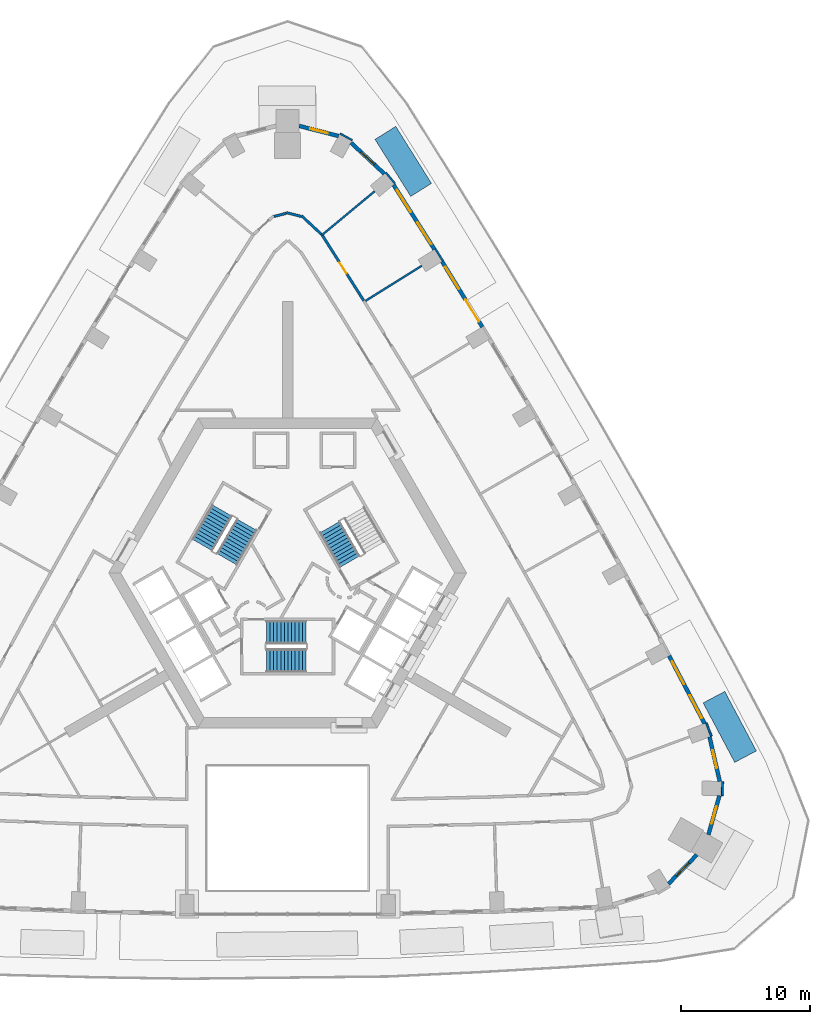
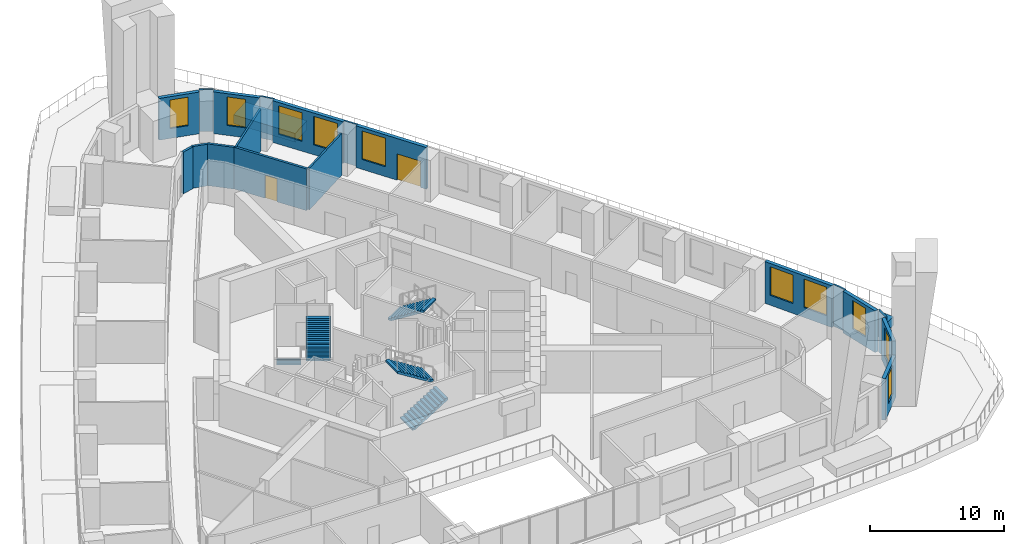
# One storey, part 11 of 16: 21 walls, 10 windows, 5 stair flights, 2 doors, 12 openings, 3 elements without a shape of their own.
"""IFC4 building model written with IfcOpenShell, lengths in metres."""

from ifc_helpers import new_model, si_unit, direction, frame, frame_2d, origin, place, context, subcontext, project, spatial, polyline, rectangle, outline, extrude, material, layer, layer_set, type_object, element, fill, aggregate, save


model = new_model("IFC4")

# Units and contexts
model_context = context("Model", 3, precision=1e-05, world=origin(), true_north=direction((0.0, 1.0)))
body_context = subcontext(model_context, "Body", "Model", "MODEL_VIEW")
ifc_project = project(units=[si_unit("LENGTHUNIT", "METRE"), si_unit("AREAUNIT", "SQUARE_METRE"), si_unit("VOLUMEUNIT", "CUBIC_METRE"), si_unit("PLANEANGLEUNIT", "RADIAN"), si_unit("MASSUNIT", "GRAM", prefix="KILO")], contexts=[model_context])

# Site, building, storey
site_placement = place(None, origin())
site = spatial("IfcSite", under=ifc_project, at=site_placement, CompositionType="ELEMENT")
building_placement = place(site_placement, origin())
building = spatial("IfcBuilding", under=site, at=building_placement, Name="Entoto Arch Interchange Tower", CompositionType="ELEMENT")
storey_placement = place(building_placement, frame((0.0, 0.0, 138.199951171875)))
storey = spatial("IfcBuildingStorey", under=building, at=storey_placement, Name="L30", CompositionType="ELEMENT", Elevation=138.199951171875)

# Walls
ifc_material_1 = material(Name="Gypsum board partition on steel studs", Category="steel")
ifc_layer_1 = layer(ifc_material_1, 0.14990234375)
ifc_layer_set_1 = layer_set([ifc_layer_1], Name="Gypsum board partition on steel studs")
wall_type_1 = type_object("IfcWallType", Name="PARTITION 150", PredefinedType="PARTITIONING", material=ifc_layer_set_1)
wall_1_placement = place(storey_placement, frame((6.028076171875, 23.56005859375, 0.0), z_axis=(0.0, 0.0, 1.0), x_axis=(0.848246841914, 0.529601071734, 0.0)))
element("IfcWall", 1, at=wall_1_placement, inside=storey, type_object=wall_type_1, Name="wall:L30:p130", PredefinedType="PARTITIONING", context=body_context, shape_type="SweptSolid", body=[
    extrude(rectangle(XDim=5.13037109375, YDim=0.14990234375, at=frame_2d((2.565185546875, 0.0))), origin(), (0.0, 0.0, 1.0), 3.800048828125),
])
wall_2_placement = place(storey_placement, frame((2.669921875, 28.669921875, 0.0), z_axis=(0.0, 0.0, 1.0), x_axis=(0.769162789992, 0.639052894909, 0.0)))
element("IfcWall", 2, at=wall_2_placement, inside=storey, type_object=wall_type_1, Name="wall:L30:p131", PredefinedType="PARTITIONING", context=body_context, shape_type="SweptSolid", body=[
    extrude(rectangle(XDim=5.287841796875, YDim=0.14990234375, at=frame_2d((2.64404296875, 0.0))), origin(), (0.0, 0.0, 1.0), 3.800048828125),
])

# Wall, opening, door
ifc_layer_2 = layer(ifc_material_1, 0.199951171875)
ifc_layer_set_2 = layer_set([ifc_layer_2], Name="Gypsum board partition on steel studs")
wall_type_2 = type_object("IfcWallType", Name="PARTITION 200", PredefinedType="PARTITIONING", material=ifc_layer_set_2)
wall_3_placement = place(storey_placement, frame((2.615966796875, 28.75390625, 0.0), z_axis=(0.0, 0.0, 1.0), x_axis=(0.535405016332, -0.844595446641, 0.0)))
wall_3 = element("IfcWall", 3, at=wall_3_placement, inside=storey, type_object=wall_type_2, Name="wall:L30:p046", PredefinedType="PARTITIONING", context=body_context, shape_type="SweptSolid", body=[
    extrude(rectangle(XDim=6.1376953125, YDim=0.199951171875, at=frame_2d((3.06884765625, 0.0))), origin(), (0.0, 0.0, 1.0), 3.800048828125),
])
opening_1_placement = place(wall_3_placement, frame((2.64404296875, 0.0, 0.0)))
opening_1 = element("IfcOpeningElement", 4, at=opening_1_placement, cuts=wall_3, Name="Opening L30-D09", PredefinedType="OPENING", context=body_context, shape_type="SweptSolid", body=[
    extrude(rectangle(XDim=1.0, YDim=2.10009765625, at=frame_2d((0.5, 1.050048828125))), frame((0.0, 0.10986328125, 0.0), z_axis=(0.0, -1.0, 0.0), x_axis=(1.0, 0.0, 0.0)), (0.0, 0.0, 1.0), 0.219970703125),
])
ifc_material_2 = material(Name="Timber door leaf in Steel S235 frame", Category="steel")
door_type_1 = type_object("IfcDoorType", Name="DOOR DS-10 1000x2100", OperationType="SINGLE_SWING_LEFT", PredefinedType="DOOR", material=ifc_material_2)
door_1_placement = place(opening_1_placement, origin())
door_1 = element("IfcDoor", 5, at=door_1_placement, inside=storey, type_object=door_type_1, Name="door:L30:09", OperationType="SINGLE_SWING_LEFT", OverallHeight=2.10009765625, OverallWidth=1.0, PredefinedType="DOOR", context=body_context, shape_type="SweptSolid", body=[
    extrude(rectangle(XDim=1.0, YDim=2.10009765625, at=frame_2d((0.5, 1.050048828125))), frame((0.0, 0.02490234375, 0.0), z_axis=(0.0, -1.0, 0.0), x_axis=(1.0, 0.0, 0.0)), (0.0, 0.0, 1.0), 0.050048828125),
])
fill(opening_1, door_1)

# Walls
wall_4_placement = place(storey_placement, frame((-1.06103515625, 30.10107421875, 0.0), z_axis=(0.0, 0.0, 1.0), x_axis=(0.968991499392, 0.247094059227, 0.0)))
element("IfcWall", 6, at=wall_4_placement, inside=storey, type_object=wall_type_2, Name="wall:L30:p048", PredefinedType="PARTITIONING", context=body_context, shape_type="SweptSolid", body=[
    extrude(rectangle(XDim=0.994873046875, YDim=0.199951171875, at=frame_2d((0.49755859375, 0.0))), origin(), (0.0, 0.0, 1.0), 3.800048828125),
])
wall_5_placement = place(storey_placement, frame((-0.096923828125, 30.39697265625, 0.0), z_axis=(0.0, 0.0, 1.0), x_axis=(0.968867686006, -0.247579092439, 0.0)))
element("IfcWall", 7, at=wall_5_placement, inside=storey, type_object=wall_type_2, Name="wall:L30:p049", PredefinedType="PARTITIONING", context=body_context, shape_type="SweptSolid", body=[
    extrude(rectangle(XDim=1.195068359375, YDim=0.199951171875, at=frame_2d((0.59765625, 0.0))), origin(), (0.0, 0.0, 1.0), 3.800048828125),
])
wall_6_placement = place(storey_placement, frame((1.0849609375, 30.14501953125, 0.0), z_axis=(0.0, 0.0, 1.0), x_axis=(0.73206471367, -0.681235095249, 0.0)))
element("IfcWall", 8, at=wall_6_placement, inside=storey, type_object=wall_type_2, Name="wall:L30:p050", PredefinedType="PARTITIONING", context=body_context, shape_type="SweptSolid", body=[
    extrude(rectangle(XDim=2.0654296875, YDim=0.199951171875, at=frame_2d((1.03271484375, 0.0))), origin(), (0.0, 0.0, 1.0), 3.800048828125),
])
ifc_material_3 = material(Name="Board-marked precast concrete C50/60", Category="concrete")
ifc_layer_3 = layer(ifc_material_3, 1.89990234375)
ifc_layer_set_3 = layer_set([ifc_layer_3], Name="Board-marked precast concrete C50/60")
wall_type_3 = type_object("IfcWallType", Name="PLANTER RC 1900 Juniperus procera", PredefinedType="STANDARD", material=ifc_layer_set_3)
wall_7_placement = place(storey_placement, frame((10.337890625, 32.154052734375, 0.0), z_axis=(0.0, 0.0, 1.0), x_axis=(-0.530520609595, 0.847672037285, 0.0)))
element("IfcWall", 9, at=wall_7_placement, inside=storey, type_object=wall_type_3, Name="Terrace planter NE-08 L30", PredefinedType="STANDARD", context=body_context, shape_type="SweptSolid", body=[
    extrude(rectangle(XDim=5.21533203125, YDim=1.89990234375, at=frame_2d((2.607666015625, 0.0))), origin(), (0.0, 0.0, 1.0), 0.800048828125),
])
ifc_layer_4 = layer(ifc_material_3, 1.89990234375)
ifc_layer_set_4 = layer_set([ifc_layer_4], Name="Board-marked precast concrete C50/60")
wall_type_4 = type_object("IfcWallType", Name="PLANTER RC 1900 Vachellia abyssinica", PredefinedType="STANDARD", material=ifc_layer_set_4)
wall_8_placement = place(storey_placement, frame((35.4599609375, -11.73095703125, 0.0), z_axis=(0.0, 0.0, 1.0), x_axis=(-0.468724005249, 0.883344670501, 0.0)))
element("IfcWall", 10, at=wall_8_placement, inside=storey, type_object=wall_type_4, Name="Terrace planter NE-01 L30", PredefinedType="STANDARD", context=body_context, shape_type="SweptSolid", body=[
    extrude(rectangle(XDim=5.216552734375, YDim=1.89990234375, at=frame_2d((2.6083984375, 0.0))), origin(), (0.0, 0.0, 1.0), 0.800048828125),
])

# Wall, opening, window
ifc_material_4 = material(Name="Welded tuff (ignimbrite) cladding, warm buff", Category="masonry")
ifc_layer_5 = layer(ifc_material_4, 0.300048828125)
ifc_layer_set_5 = layer_set([ifc_layer_5], Name="Welded tuff (ignimbrite) cladding, warm buff")
wall_type_5 = type_object("IfcWallType", Name="STONE INFILL WALL 300", PredefinedType="STANDARD", material=ifc_layer_set_5)
wall_9_placement = place(storey_placement, frame((29.490966796875, -21.58203125, 0.0), z_axis=(0.0, 0.0, 1.0), x_axis=(0.698633260198, 0.715479956215, 0.0)))
wall_9 = element("IfcWall", 11, at=wall_9_placement, inside=storey, type_object=wall_type_5, Name="Facade wall SE-02 L30", PredefinedType="STANDARD", context=body_context, shape_type="SweptSolid", body=[
    extrude(rectangle(XDim=3.144775390625, YDim=0.300048828125, at=frame_2d((1.572265625, 0.0))), origin(), (0.0, 0.0, 1.0), 3.800048828125),
])
opening_2_placement = place(wall_9_placement, frame((0.8720703125, 0.0, 0.89990234375)))
opening_2 = element("IfcOpeningElement", 12, at=opening_2_placement, cuts=wall_9, Name="Opening WO-B", PredefinedType="OPENING", context=body_context, shape_type="SweptSolid", body=[
    extrude(rectangle(XDim=1.39990234375, YDim=2.60009765625, at=frame_2d((0.699951171875, 1.300048828125))), frame((0.0, 0.16015625, 0.0), z_axis=(0.0, -1.0, 0.0), x_axis=(1.0, 0.0, 0.0)), (0.0, 0.0, 1.0), 0.320068359375),
])
ifc_material_5 = material(Name="Clear glass, low-e double glazed", Category="glass")
window_type_1 = type_object("IfcWindowType", Name="WINDOW WO-B 1400x2600", PartitioningType="DOUBLE_PANEL_VERTICAL", PredefinedType="WINDOW", material=ifc_material_5)
window_1_placement = place(opening_2_placement, origin())
window_1 = element("IfcWindow", 13, at=window_1_placement, inside=storey, type_object=window_type_1, Name="Window WO-B SE-02 L30", OverallHeight=2.60009765625, OverallWidth=1.39990234375, PartitioningType="SINGLE_PANEL", PredefinedType="WINDOW", context=body_context, shape_type="SweptSolid", body=[
    extrude(rectangle(XDim=1.39990234375, YDim=2.60009765625, at=frame_2d((0.699951171875, 1.300048828125))), frame((0.0, 0.030029296875, 0.0), z_axis=(0.0, -1.0, 0.0), x_axis=(1.0, 0.0, 0.0)), (0.0, 0.0, 1.0), 0.06005859375),
])
fill(opening_2, window_1)

wall_10_placement = place(storey_placement, frame((32.5869140625, -17.77490234375, 0.0), z_axis=(0.0, 0.0, 1.0), x_axis=(0.270471130801, 0.962728085912, 0.0)))
wall_10 = element("IfcWall", 14, at=wall_10_placement, inside=storey, type_object=wall_type_5, Name="Facade wall SE-03 L30", PredefinedType="STANDARD", context=body_context, shape_type="SweptSolid", body=[
    extrude(rectangle(XDim=3.14306640625, YDim=0.300048828125, at=frame_2d((1.571533203125, 0.0))), origin(), (0.0, 0.0, 1.0), 3.800048828125),
])
opening_3_placement = place(wall_10_placement, frame((0.8720703125, 0.0, 0.89990234375)))
opening_3 = element("IfcOpeningElement", 15, at=opening_3_placement, cuts=wall_10, Name="Opening WO-B", PredefinedType="OPENING", context=body_context, shape_type="SweptSolid", body=[
    extrude(rectangle(XDim=1.39990234375, YDim=2.60009765625, at=frame_2d((0.699951171875, 1.300048828125))), frame((0.0, 0.16015625, 0.0), z_axis=(0.0, -1.0, 0.0), x_axis=(1.0, 0.0, 0.0)), (0.0, 0.0, 1.0), 0.320068359375),
])
window_2_placement = place(opening_3_placement, origin())
window_2 = element("IfcWindow", 16, at=window_2_placement, inside=storey, type_object=window_type_1, Name="Window WO-B SE-03 L30", OverallHeight=2.60009765625, OverallWidth=1.39990234375, PartitioningType="SINGLE_PANEL", PredefinedType="WINDOW", context=body_context, shape_type="SweptSolid", body=[
    extrude(rectangle(XDim=1.39990234375, YDim=2.60009765625, at=frame_2d((0.699951171875, 1.300048828125))), frame((0.0, 0.030029296875, 0.0), z_axis=(0.0, -1.0, 0.0), x_axis=(1.0, 0.0, 0.0)), (0.0, 0.0, 1.0), 0.06005859375),
])
fill(opening_3, window_2)

wall_11_placement = place(storey_placement, frame((33.462890625, -13.65087890625, 0.0), z_axis=(0.0, 0.0, 1.0), x_axis=(-0.223538714932, 0.974695051247, 0.0)))
wall_11 = element("IfcWall", 17, at=wall_11_placement, inside=storey, type_object=wall_type_5, Name="Facade wall SE-04 L30", PredefinedType="STANDARD", context=body_context, shape_type="SweptSolid", body=[
    extrude(rectangle(XDim=3.53759765625, YDim=0.300048828125, at=frame_2d((1.768798828125, 0.0))), origin(), (0.0, 0.0, 1.0), 3.800048828125),
])
opening_4_placement = place(wall_11_placement, frame((1.069091796875, 0.0, 0.89990234375)))
opening_4 = element("IfcOpeningElement", 18, at=opening_4_placement, cuts=wall_11, Name="Opening WO-B", PredefinedType="OPENING", context=body_context, shape_type="SweptSolid", body=[
    extrude(rectangle(XDim=1.39990234375, YDim=2.60009765625, at=frame_2d((0.699951171875, 1.300048828125))), frame((0.0, 0.16015625, 0.0), z_axis=(0.0, -1.0, 0.0), x_axis=(1.0, 0.0, 0.0)), (0.0, 0.0, 1.0), 0.320068359375),
])
window_3_placement = place(opening_4_placement, origin())
window_3 = element("IfcWindow", 19, at=window_3_placement, inside=storey, type_object=window_type_1, Name="Window WO-B SE-04 L30", OverallHeight=2.60009765625, OverallWidth=1.39990234375, PartitioningType="SINGLE_PANEL", PredefinedType="WINDOW", context=body_context, shape_type="SweptSolid", body=[
    extrude(rectangle(XDim=1.39990234375, YDim=2.60009765625, at=frame_2d((0.699951171875, 1.300048828125))), frame((0.0, 0.030029296875, 0.0), z_axis=(0.0, -1.0, 0.0), x_axis=(1.0, 0.0, 0.0)), (0.0, 0.0, 1.0), 0.06005859375),
])
fill(opening_4, window_3)

# Wall, openings, windows
wall_12_placement = place(storey_placement, frame((32.291015625, -9.173095703125, 0.0), z_axis=(0.0, 0.0, 1.0), x_axis=(-0.463809970306, 0.885934710599, 0.0)))
wall_12 = element("IfcWall", 20, at=wall_12_placement, inside=storey, type_object=wall_type_5, Name="Facade wall NE-01 L30", PredefinedType="STANDARD", context=body_context, shape_type="SweptSolid", body=[
    extrude(rectangle(XDim=5.927001953125, YDim=0.300048828125, at=frame_2d((2.96337890625, 0.0))), origin(), (0.0, 0.0, 1.0), 3.800048828125),
])
opening_5_placement = place(wall_12_placement, frame((0.48193359375, 0.0, 0.89990234375)))
opening_5 = element("IfcOpeningElement", 21, at=opening_5_placement, cuts=wall_12, Name="Opening WO-C", PredefinedType="OPENING", context=body_context, shape_type="SweptSolid", body=[
    extrude(rectangle(XDim=2.0, YDim=2.60009765625, at=frame_2d((1.0, 1.300048828125))), frame((0.0, 0.16015625, 0.0), z_axis=(0.0, -1.0, 0.0), x_axis=(1.0, 0.0, 0.0)), (0.0, 0.0, 1.0), 0.320068359375),
])
opening_6_placement = place(wall_12_placement, frame((3.445068359375, 0.0, 0.89990234375)))
opening_6 = element("IfcOpeningElement", 22, at=opening_6_placement, cuts=wall_12, Name="Opening WO-C", PredefinedType="OPENING", context=body_context, shape_type="SweptSolid", body=[
    extrude(rectangle(XDim=2.0, YDim=2.60009765625, at=frame_2d((1.0, 1.300048828125))), frame((0.0, 0.16015625, 0.0), z_axis=(0.0, -1.0, 0.0), x_axis=(1.0, 0.0, 0.0)), (0.0, 0.0, 1.0), 0.320068359375),
])
window_type_2 = type_object("IfcWindowType", Name="WINDOW WO-C 2000x2600", PartitioningType="DOUBLE_PANEL_VERTICAL", PredefinedType="WINDOW", material=ifc_material_5)
window_4_placement = place(opening_5_placement, origin())
window_4 = element("IfcWindow", 23, at=window_4_placement, inside=storey, type_object=window_type_2, Name="Window WO-C NE-01 L30", OverallHeight=2.60009765625, OverallWidth=2.0, PartitioningType="SINGLE_PANEL", PredefinedType="WINDOW", context=body_context, shape_type="SweptSolid", body=[
    extrude(rectangle(XDim=2.0, YDim=2.60009765625, at=frame_2d((1.0, 1.300048828125))), frame((0.0, 0.030029296875, 0.0), z_axis=(0.0, -1.0, 0.0), x_axis=(1.0, 0.0, 0.0)), (0.0, 0.0, 1.0), 0.06005859375),
])
fill(opening_5, window_4)
window_5_placement = place(opening_6_placement, origin())
window_5 = element("IfcWindow", 24, at=window_5_placement, inside=storey, type_object=window_type_2, Name="Window WO-C NE-01 L30", OverallHeight=2.60009765625, OverallWidth=2.0, PartitioningType="SINGLE_PANEL", PredefinedType="WINDOW", context=body_context, shape_type="SweptSolid", body=[
    extrude(rectangle(XDim=2.0, YDim=2.60009765625, at=frame_2d((1.0, 1.300048828125))), frame((0.0, 0.030029296875, 0.0), z_axis=(0.0, -1.0, 0.0), x_axis=(1.0, 0.0, 0.0)), (0.0, 0.0, 1.0), 0.06005859375),
])
fill(opening_6, window_5)

# Wall, openings, door, window
wall_13_placement = place(storey_placement, frame((15.072998046875, 21.5439453125, 0.0), z_axis=(0.0, 0.0, 1.0), x_axis=(-0.523719731127, 0.851890628677, 0.0)))
wall_13 = element("IfcWall", 25, at=wall_13_placement, inside=storey, type_object=wall_type_5, Name="Facade wall NE-06 L30", PredefinedType="STANDARD", context=body_context, shape_type="SweptSolid", body=[
    extrude(rectangle(XDim=5.95166015625, YDim=0.300048828125, at=frame_2d((2.975830078125, 0.0))), origin(), (0.0, 0.0, 1.0), 3.800048828125),
])
opening_7_placement = place(wall_13_placement, frame((0.488037109375, 0.0, 0.0)))
opening_7 = element("IfcOpeningElement", 26, at=opening_7_placement, cuts=wall_13, Name="Opening DT-NE-06-L30", PredefinedType="OPENING", context=body_context, shape_type="SweptSolid", body=[
    extrude(rectangle(XDim=2.0, YDim=2.39990234375, at=frame_2d((1.0, 1.199951171875))), frame((0.0, 0.16015625, 0.0), z_axis=(0.0, -1.0, 0.0), x_axis=(1.0, 0.0, 0.0)), (0.0, 0.0, 1.0), 0.320068359375),
])
opening_8_placement = place(wall_13_placement, frame((3.464111328125, 0.0, 0.89990234375)))
opening_8 = element("IfcOpeningElement", 27, at=opening_8_placement, cuts=wall_13, Name="Opening WO-C", PredefinedType="OPENING", context=body_context, shape_type="SweptSolid", body=[
    extrude(rectangle(XDim=2.0, YDim=2.60009765625, at=frame_2d((1.0, 1.300048828125))), frame((0.0, 0.16015625, 0.0), z_axis=(0.0, -1.0, 0.0), x_axis=(1.0, 0.0, 0.0)), (0.0, 0.0, 1.0), 0.320068359375),
])
ifc_material_6 = material(Name="Aluminium and clear glass, anodised", Category="aluminium")
door_type_2 = type_object("IfcDoorType", Name="TERRACE DOOR DT 2000x2400", OperationType="SLIDING_TO_LEFT", PredefinedType="DOOR", material=ifc_material_6)
door_2_placement = place(opening_7_placement, origin())
door_2 = element("IfcDoor", 28, at=door_2_placement, inside=storey, type_object=door_type_2, Name="Terrace door NE-06 L30", OperationType="SLIDING_TO_LEFT", OverallHeight=2.39990234375, OverallWidth=2.0, PredefinedType="DOOR", context=body_context, shape_type="SweptSolid", body=[
    extrude(rectangle(XDim=2.0, YDim=2.39990234375, at=frame_2d((1.0, 1.199951171875))), frame((0.0, 0.02490234375, 0.0), z_axis=(0.0, -1.0, 0.0), x_axis=(1.0, 0.0, 0.0)), (0.0, 0.0, 1.0), 0.050048828125),
])
fill(opening_7, door_2)
window_6_placement = place(opening_8_placement, origin())
window_6 = element("IfcWindow", 29, at=window_6_placement, inside=storey, type_object=window_type_2, Name="Window WO-C NE-06 L30", OverallHeight=2.60009765625, OverallWidth=2.0, PartitioningType="SINGLE_PANEL", PredefinedType="WINDOW", context=body_context, shape_type="SweptSolid", body=[
    extrude(rectangle(XDim=2.0, YDim=2.60009765625, at=frame_2d((1.0, 1.300048828125))), frame((0.0, 0.030029296875, 0.0), z_axis=(0.0, -1.0, 0.0), x_axis=(1.0, 0.0, 0.0)), (0.0, 0.0, 1.0), 0.06005859375),
])
fill(opening_8, window_6)

# Wall, openings, windows
wall_14_placement = place(storey_placement, frame((11.375, 27.544921875, 0.0), z_axis=(0.0, 0.0, 1.0), x_axis=(-0.535403761464, 0.844596242124, 0.0)))
wall_14 = element("IfcWall", 30, at=wall_14_placement, inside=storey, type_object=wall_type_5, Name="Facade wall NE-07 L30", PredefinedType="STANDARD", context=body_context, shape_type="SweptSolid", body=[
    extrude(rectangle(XDim=5.928466796875, YDim=0.300048828125, at=frame_2d((2.96435546875, 0.0))), origin(), (0.0, 0.0, 1.0), 3.800048828125),
])
opening_9_placement = place(wall_14_placement, frame((0.48193359375, 0.0, 0.89990234375)))
opening_9 = element("IfcOpeningElement", 31, at=opening_9_placement, cuts=wall_14, Name="Opening WO-C", PredefinedType="OPENING", context=body_context, shape_type="SweptSolid", body=[
    extrude(rectangle(XDim=2.0, YDim=2.60009765625, at=frame_2d((1.0, 1.300048828125))), frame((0.0, 0.16015625, 0.0), z_axis=(0.0, -1.0, 0.0), x_axis=(1.0, 0.0, 0.0)), (0.0, 0.0, 1.0), 0.320068359375),
])
opening_10_placement = place(wall_14_placement, frame((3.446044921875, 0.0, 0.89990234375)))
opening_10 = element("IfcOpeningElement", 32, at=opening_10_placement, cuts=wall_14, Name="Opening WO-C", PredefinedType="OPENING", context=body_context, shape_type="SweptSolid", body=[
    extrude(rectangle(XDim=2.0, YDim=2.60009765625, at=frame_2d((1.0, 1.300048828125))), frame((0.0, 0.16015625, 0.0), z_axis=(0.0, -1.0, 0.0), x_axis=(1.0, 0.0, 0.0)), (0.0, 0.0, 1.0), 0.320068359375),
])
window_7_placement = place(opening_9_placement, origin())
window_7 = element("IfcWindow", 33, at=window_7_placement, inside=storey, type_object=window_type_2, Name="Window WO-C NE-07 L30", OverallHeight=2.60009765625, OverallWidth=2.0, PartitioningType="SINGLE_PANEL", PredefinedType="WINDOW", context=body_context, shape_type="SweptSolid", body=[
    extrude(rectangle(XDim=2.0, YDim=2.60009765625, at=frame_2d((1.0, 1.300048828125))), frame((0.0, 0.030029296875, 0.0), z_axis=(0.0, -1.0, 0.0), x_axis=(1.0, 0.0, 0.0)), (0.0, 0.0, 1.0), 0.06005859375),
])
fill(opening_9, window_7)
window_8_placement = place(opening_10_placement, origin())
window_8 = element("IfcWindow", 34, at=window_8_placement, inside=storey, type_object=window_type_2, Name="Window WO-C NE-07 L30", OverallHeight=2.60009765625, OverallWidth=2.0, PartitioningType="SINGLE_PANEL", PredefinedType="WINDOW", context=body_context, shape_type="SweptSolid", body=[
    extrude(rectangle(XDim=2.0, YDim=2.60009765625, at=frame_2d((1.0, 1.300048828125))), frame((0.0, 0.030029296875, 0.0), z_axis=(0.0, -1.0, 0.0), x_axis=(1.0, 0.0, 0.0)), (0.0, 0.0, 1.0), 0.06005859375),
])
fill(opening_10, window_8)

# Wall, opening, window
wall_15_placement = place(storey_placement, frame((7.4990234375, 33.39599609375, 0.0), z_axis=(0.0, 0.0, 1.0), x_axis=(-0.732121882671, 0.681173655475, 0.0)))
wall_15 = element("IfcWall", 35, at=wall_15_placement, inside=storey, type_object=wall_type_5, Name="Facade wall N-01 L30", PredefinedType="STANDARD", context=body_context, shape_type="SweptSolid", body=[
    extrude(rectangle(XDim=3.536376953125, YDim=0.300048828125, at=frame_2d((1.76806640625, 0.0))), origin(), (0.0, 0.0, 1.0), 3.800048828125),
])
opening_11_placement = place(wall_15_placement, frame((1.068115234375, 0.0, 0.89990234375)))
opening_11 = element("IfcOpeningElement", 36, at=opening_11_placement, cuts=wall_15, Name="Opening WO-B", PredefinedType="OPENING", context=body_context, shape_type="SweptSolid", body=[
    extrude(rectangle(XDim=1.39990234375, YDim=2.60009765625, at=frame_2d((0.699951171875, 1.300048828125))), frame((0.0, 0.16015625, 0.0), z_axis=(0.0, -1.0, 0.0), x_axis=(1.0, 0.0, 0.0)), (0.0, 0.0, 1.0), 0.320068359375),
])
window_9_placement = place(opening_11_placement, origin())
window_9 = element("IfcWindow", 37, at=window_9_placement, inside=storey, type_object=window_type_1, Name="Window WO-B N-01 L30", OverallHeight=2.60009765625, OverallWidth=1.39990234375, PartitioningType="SINGLE_PANEL", PredefinedType="WINDOW", context=body_context, shape_type="SweptSolid", body=[
    extrude(rectangle(XDim=1.39990234375, YDim=2.60009765625, at=frame_2d((0.699951171875, 1.300048828125))), frame((0.0, 0.030029296875, 0.0), z_axis=(0.0, -1.0, 0.0), x_axis=(1.0, 0.0, 0.0)), (0.0, 0.0, 1.0), 0.06005859375),
])
fill(opening_11, window_9)

wall_16_placement = place(storey_placement, frame((3.946044921875, 36.3310546875, 0.0), z_axis=(0.0, 0.0, 1.0), x_axis=(-0.968929586963, 0.247336724947, 0.0)))
wall_16 = element("IfcWall", 38, at=wall_16_placement, inside=storey, type_object=wall_type_5, Name="Facade wall N-02 L30", PredefinedType="STANDARD", context=body_context, shape_type="SweptSolid", body=[
    extrude(rectangle(XDim=3.144775390625, YDim=0.300048828125, at=frame_2d((1.572265625, 0.0))), origin(), (0.0, 0.0, 1.0), 3.800048828125),
])
opening_12_placement = place(wall_16_placement, frame((0.8720703125, 0.0, 0.89990234375)))
opening_12 = element("IfcOpeningElement", 39, at=opening_12_placement, cuts=wall_16, Name="Opening WO-B", PredefinedType="OPENING", context=body_context, shape_type="SweptSolid", body=[
    extrude(rectangle(XDim=1.39990234375, YDim=2.60009765625, at=frame_2d((0.699951171875, 1.300048828125))), frame((0.0, 0.16015625, 0.0), z_axis=(0.0, -1.0, 0.0), x_axis=(1.0, 0.0, 0.0)), (0.0, 0.0, 1.0), 0.320068359375),
])
window_10_placement = place(opening_12_placement, origin())
window_10 = element("IfcWindow", 40, at=window_10_placement, inside=storey, type_object=window_type_1, Name="Window WO-B N-02 L30", OverallHeight=2.60009765625, OverallWidth=1.39990234375, PartitioningType="SINGLE_PANEL", PredefinedType="WINDOW", context=body_context, shape_type="SweptSolid", body=[
    extrude(rectangle(XDim=1.39990234375, YDim=2.60009765625, at=frame_2d((0.699951171875, 1.300048828125))), frame((0.0, 0.030029296875, 0.0), z_axis=(0.0, -1.0, 0.0), x_axis=(1.0, 0.0, 0.0)), (0.0, 0.0, 1.0), 0.06005859375),
])
fill(opening_12, window_10)

# Walls
ifc_layer_6 = layer(ifc_material_4, 0.14990234375)
ifc_layer_set_6 = layer_set([ifc_layer_6], Name="Welded tuff (ignimbrite) cladding, warm buff")
wall_type_6 = type_object("IfcWallType", Name="STONE PIER CLADDING 150", PredefinedType="STANDARD", material=ifc_layer_set_6)
wall_17_placement = place(storey_placement, frame((5.01611328125, 35.998046875, 0.0), z_axis=(0.0, 0.0, 1.0), x_axis=(-0.877929486755, 0.478789950068, 0.0)))
element("IfcWall", 41, at=wall_17_placement, inside=storey, type_object=wall_type_6, Name="Stone pier N1 L30", PredefinedType="STANDARD", context=body_context, shape_type="SweptSolid", body=[
    extrude(rectangle(XDim=1.100341796875, YDim=0.14990234375, at=frame_2d((0.55029296875, 0.0))), origin(), (0.0, 0.0, 1.0), 3.800048828125),
])
for number, where, z_axis, x_axis, name in (
    (42, (32.81005859375, -10.153076171875, 0.0), (0.0, 0.0, 1.0), (-0.346425160624, 0.93807761304, 0.0), "Stone pier NE01 L30"),
    (43, (12.02392578125, 26.655029296875, 0.0), (0.0, 0.0, 1.0), (-0.52997899071, 0.848010771987, 0.0), "Stone pier NE07 L30"),
):
    element("IfcWall", number, at=place(storey_placement, frame(where, z_axis=z_axis, x_axis=x_axis)), inside=storey, type_object=wall_type_6, Name=name, PredefinedType="STANDARD", context=body_context, shape_type="SweptSolid", body=[
        extrude(rectangle(XDim=1.10009765625, YDim=0.14990234375, at=frame_2d((0.550048828125, 0.0))), origin(), (0.0, 0.0, 1.0), 3.800048828125),
    ])
wall_18_placement = place(storey_placement, frame((8.31494140625, 32.64501953125, 0.0), z_axis=(0.0, 0.0, 1.0), x_axis=(-0.639070205934, 0.769148406933, 0.0)))
element("IfcWall", 44, at=wall_18_placement, inside=storey, type_object=wall_type_6, Name="Stone pier NE08 L30", PredefinedType="STANDARD", context=body_context, shape_type="SweptSolid", body=[
    extrude(rectangle(XDim=1.099853515625, YDim=0.14990234375, at=frame_2d((0.5498046875, 0.0))), origin(), (0.0, 0.0, 1.0), 3.800048828125),
])
wall_19_placement = place(storey_placement, frame((33.656982421875, -14.7548828125, 0.0), z_axis=(0.0, 0.0, 1.0), x_axis=(0.023744690764, 0.999718055084, 0.0)))
element("IfcWall", 45, at=wall_19_placement, inside=storey, type_object=wall_type_6, Name="Stone pier SE3 L30", PredefinedType="STANDARD", context=body_context, shape_type="SweptSolid", body=[
    extrude(rectangle(XDim=1.10009765625, YDim=0.14990234375, at=frame_2d((0.550048828125, 0.0))), origin(), (0.0, 0.0, 1.0), 3.800048828125),
])

# Stair, stair flights
ifc_material_7 = material(Name="Concrete C40/50", Category="concrete")
stair_type = type_object("IfcStairType", Name="EXIT STAIR RC 1800", PredefinedType="HALF_TURN_STAIR", material=ifc_material_7)
stair_1_placement = place(storey_placement, origin())
stair_1 = element("IfcStair", 46, at=stair_1_placement, inside=storey, type_object=stair_type, Name="L30 Exit stair S", PredefinedType="HALF_TURN_STAIR")
stair_flight_type = type_object("IfcStairFlightType", Name="EXIT STAIR FLIGHT RC 1800", PredefinedType="STRAIGHT", material=ifc_material_7)
stair_flight_1_placement = place(storey_placement, frame((-1.64990234375, -4.300048828125, 0.0), z_axis=(0.0, 0.0, 1.0), x_axis=(1.0, 0.0, 0.0)))
stair_flight_1 = element("IfcStairFlight", 47, at=stair_flight_1_placement, type_object=stair_flight_type, Name="ST-S flight 1", NumberOfRisers=12, NumberOfTreads=11, PredefinedType="STRAIGHT", RiserHeight=0.175, TreadLength=0.28, context=body_context, shape_type="SweptSolid", body=[
    extrude(outline(polyline([(-0.0029296875, 0.0), (-0.0029296875, 0.175048828125), (0.280029296875, 0.175048828125), (0.280029296875, 0.35009765625), (0.56005859375, 0.35009765625), (0.56005859375, 0.52490234375), (0.840087890625, 0.52490234375), (0.840087890625, 0.699951171875), (1.1201171875, 0.699951171875), (1.1201171875, 0.875), (1.39990234375, 0.875), (1.39990234375, 1.050048828125), (1.679931640625, 1.050048828125), (1.679931640625, 1.22509765625), (1.9599609375, 1.22509765625), (1.9599609375, 1.39990234375), (2.239990234375, 1.39990234375), (2.239990234375, 1.574951171875), (2.52001953125, 1.574951171875), (2.52001953125, 1.75), (2.800048828125, 1.75), (2.800048828125, 1.925048828125), (3.080078125, 1.925048828125), (3.0830078125, 1.925048828125), (3.0830078125, 1.75), (0.28271484375, 0.0), (-0.0029296875, 0.0)])), frame((0.0, 0.89990234375, 0.0), z_axis=(0.0, -1.0, 0.0), x_axis=(1.0, 0.0, 0.0)), (0.0, 0.0, 1.0), 1.800048828125),
])
stair_flight_2_placement = place(storey_placement, frame((1.429931640625, -2.10009765625, 2.10009765625), z_axis=(0.0, 0.0, 1.0), x_axis=(-1.0, 0.0, 0.0)))
stair_flight_2 = element("IfcStairFlight", 48, at=stair_flight_2_placement, type_object=stair_flight_type, Name="ST-S flight 2", NumberOfRisers=12, NumberOfTreads=11, PredefinedType="STRAIGHT", RiserHeight=0.175, TreadLength=0.28, context=body_context, shape_type="SweptSolid", body=[
    extrude(outline(polyline([(-0.0029296875, 0.0), (-0.0029296875, 0.175048828125), (0.280029296875, 0.175048828125), (0.280029296875, 0.35009765625), (0.56005859375, 0.35009765625), (0.56005859375, 0.52490234375), (0.840087890625, 0.52490234375), (0.840087890625, 0.699951171875), (1.1201171875, 0.699951171875), (1.1201171875, 0.875), (1.39990234375, 0.875), (1.39990234375, 1.050048828125), (1.679931640625, 1.050048828125), (1.679931640625, 1.22509765625), (1.9599609375, 1.22509765625), (1.9599609375, 1.39990234375), (2.239990234375, 1.39990234375), (2.239990234375, 1.574951171875), (2.52001953125, 1.574951171875), (2.52001953125, 1.75), (2.800048828125, 1.75), (2.800048828125, 1.925048828125), (3.080078125, 1.925048828125), (3.0830078125, 1.925048828125), (3.0830078125, 1.75), (0.28271484375, 0.0), (-0.0029296875, 0.0)])), frame((0.0, 0.89990234375, 0.0), z_axis=(0.0, -1.0, 0.0), x_axis=(1.0, 0.0, 0.0)), (0.0, 0.0, 1.0), 1.800048828125),
])
aggregate(stair_1, [stair_flight_1, stair_flight_2])

# Stair, stair flight
stair_2_placement = place(storey_placement, origin())
stair_2 = element("IfcStair", 49, at=stair_2_placement, inside=storey, type_object=stair_type, Name="L30 Exit stair NE", PredefinedType="HALF_TURN_STAIR")
stair_flight_3_placement = place(storey_placement, frame((3.268798828125, 6.038330078125, 2.10009765625), z_axis=(0.0, 0.0, 1.0), x_axis=(0.5, -0.866025403784, 0.0)))
stair_flight_3 = element("IfcStairFlight", 50, at=stair_flight_3_placement, type_object=stair_flight_type, Name="ST-NE flight 2", NumberOfRisers=12, NumberOfTreads=11, PredefinedType="STRAIGHT", RiserHeight=0.175, TreadLength=0.28, context=body_context, shape_type="SweptSolid", body=[
    extrude(outline(polyline([(-0.0029296875, 0.0), (-0.0029296875, 0.175048828125), (0.280029296875, 0.175048828125), (0.280029296875, 0.35009765625), (0.56005859375, 0.35009765625), (0.56005859375, 0.52490234375), (0.840087890625, 0.52490234375), (0.840087890625, 0.699951171875), (1.1201171875, 0.699951171875), (1.1201171875, 0.875), (1.39990234375, 0.875), (1.39990234375, 1.050048828125), (1.679931640625, 1.050048828125), (1.679931640625, 1.22509765625), (1.9599609375, 1.22509765625), (1.9599609375, 1.39990234375), (2.239990234375, 1.39990234375), (2.239990234375, 1.574951171875), (2.52001953125, 1.574951171875), (2.52001953125, 1.75), (2.800048828125, 1.75), (2.800048828125, 1.925048828125), (3.080078125, 1.925048828125), (3.0830078125, 1.925048828125), (3.0830078125, 1.75), (0.28271484375, 0.0), (-0.0029296875, 0.0)])), frame((0.0, 0.89990234375, 0.0), z_axis=(0.0, -1.0, 0.0), x_axis=(1.0, 0.0, 0.0)), (0.0, 0.0, 1.0), 1.800048828125),
])
aggregate(stair_2, [stair_flight_3])

# Stair, stair flights
stair_3_placement = place(storey_placement, origin())
stair_3 = element("IfcStair", 51, at=stair_3_placement, inside=storey, type_object=stair_type, Name="L30 Exit stair NW", PredefinedType="HALF_TURN_STAIR")
stair_flight_4_placement = place(storey_placement, frame((-5.06396484375, 7.328857421875, 0.0), z_axis=(0.0, 0.0, 1.0), x_axis=(-0.5, -0.866025403784, 0.0)))
stair_flight_4 = element("IfcStairFlight", 52, at=stair_flight_4_placement, type_object=stair_flight_type, Name="ST-NW flight 1", NumberOfRisers=12, NumberOfTreads=11, PredefinedType="STRAIGHT", RiserHeight=0.175, TreadLength=0.28, context=body_context, shape_type="SweptSolid", body=[
    extrude(outline(polyline([(-0.0029296875, 0.0), (-0.0029296875, 0.175048828125), (0.280029296875, 0.175048828125), (0.280029296875, 0.35009765625), (0.56005859375, 0.35009765625), (0.56005859375, 0.52490234375), (0.840087890625, 0.52490234375), (0.840087890625, 0.699951171875), (1.1201171875, 0.699951171875), (1.1201171875, 0.875), (1.39990234375, 0.875), (1.39990234375, 1.050048828125), (1.679931640625, 1.050048828125), (1.679931640625, 1.22509765625), (1.9599609375, 1.22509765625), (1.9599609375, 1.39990234375), (2.239990234375, 1.39990234375), (2.239990234375, 1.574951171875), (2.52001953125, 1.574951171875), (2.52001953125, 1.75), (2.800048828125, 1.75), (2.800048828125, 1.925048828125), (3.080078125, 1.925048828125), (3.0830078125, 1.925048828125), (3.0830078125, 1.75), (0.28271484375, 0.0), (-0.0029296875, 0.0)])), frame((0.0, 0.89990234375, 0.0), z_axis=(0.0, -1.0, 0.0), x_axis=(1.0, 0.0, 0.0)), (0.0, 0.0, 1.0), 1.800048828125),
])
stair_flight_5_placement = place(storey_placement, frame((-4.69873046875, 3.5615234375, 2.10009765625), z_axis=(0.0, 0.0, 1.0), x_axis=(0.5, 0.866025403784, 0.0)))
stair_flight_5 = element("IfcStairFlight", 53, at=stair_flight_5_placement, type_object=stair_flight_type, Name="ST-NW flight 2", NumberOfRisers=12, NumberOfTreads=11, PredefinedType="STRAIGHT", RiserHeight=0.175, TreadLength=0.28, context=body_context, shape_type="SweptSolid", body=[
    extrude(outline(polyline([(-0.0029296875, 0.0), (-0.0029296875, 0.175048828125), (0.280029296875, 0.175048828125), (0.280029296875, 0.35009765625), (0.56005859375, 0.35009765625), (0.56005859375, 0.52490234375), (0.840087890625, 0.52490234375), (0.840087890625, 0.699951171875), (1.1201171875, 0.699951171875), (1.1201171875, 0.875), (1.39990234375, 0.875), (1.39990234375, 1.050048828125), (1.679931640625, 1.050048828125), (1.679931640625, 1.22509765625), (1.9599609375, 1.22509765625), (1.9599609375, 1.39990234375), (2.239990234375, 1.39990234375), (2.239990234375, 1.574951171875), (2.52001953125, 1.574951171875), (2.52001953125, 1.75), (2.800048828125, 1.75), (2.800048828125, 1.925048828125), (3.080078125, 1.925048828125), (3.0830078125, 1.925048828125), (3.0830078125, 1.75), (0.28271484375, 0.0), (-0.0029296875, 0.0)])), frame((0.0, 0.89990234375, 0.0), z_axis=(0.0, -1.0, 0.0), x_axis=(1.0, 0.0, 0.0)), (0.0, 0.0, 1.0), 1.800048828125),
])
aggregate(stair_3, [stair_flight_4, stair_flight_5])

save(model, "model.ifc")
